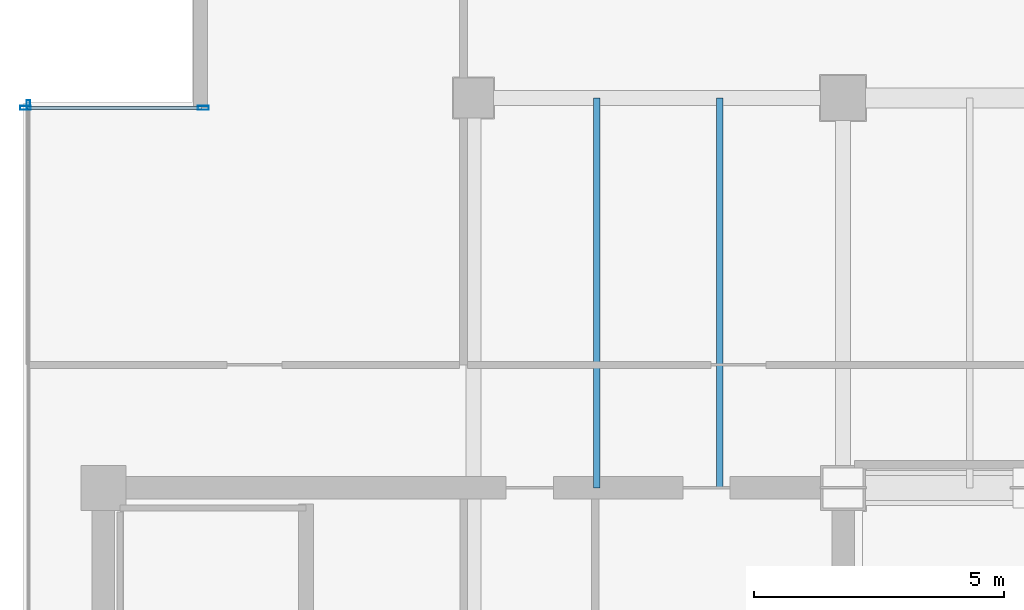
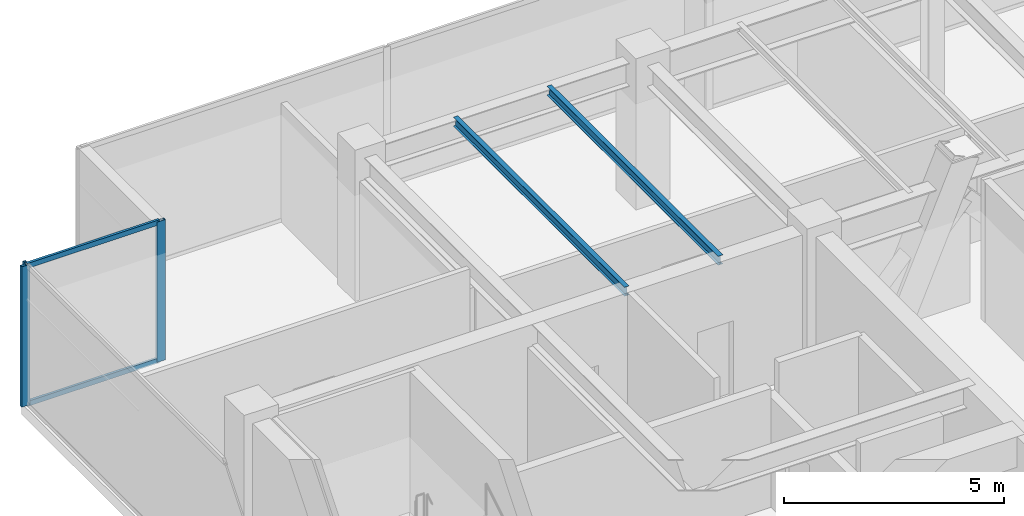
# One storey, part 18 of 32: 5 members, 2 beams, 2 elements without a shape of their own.
"""IFC4 building model written with IfcOpenShell, lengths in metres."""

import ifcopenshell
import ifcopenshell.guid

model = None  # the IFC model being written
_history = None  # IfcOwnerHistory: only IFC2X3 demands one
_inside = {}  # id of a spatial element -> (the spatial element, [elements in it])
_under = {}  # id of a project, library or spatial element -> (it, [spatial elements below it])
_declared = {}  # id of a project -> (the project, [libraries it declares])
_typed = {}  # id of a type object -> (the type object, [elements of that type])
_made_of = {}  # id of a material, layer set ... -> (it, [elements and type objects made of it])


def new_model(schema):
    """Start an empty IFC model of exactly this schema.

    Asked for "IFC4X3", IfcOpenShell would pick the latest addendum, in which some entities
    have other attributes; the version numbers below select the first issue.
    IFC2X3 requires an IfcOwnerHistory on every rooted entity: one is made here for all.
    """
    global model, _history
    if schema == "IFC4X3":
        model = ifcopenshell.file(schema_version=(4, 3, 0, 0))
    else:
        model = ifcopenshell.file(schema=schema)
    _inside.clear()
    _under.clear()
    _declared.clear()
    _typed.clear()
    _made_of.clear()
    _history = None
    if model.schema == "IFC2X3":
        org = make("IfcOrganization", Name="unknown")
        user = make(
            "IfcPersonAndOrganization",
            ThePerson=make("IfcPerson", FamilyName="unknown"),
            TheOrganization=org,
        )
        app = make(
            "IfcApplication",
            ApplicationDeveloper=org,
            Version="unknown",
            ApplicationFullName="unknown",
            ApplicationIdentifier="unknown",
        )
        _history = make(
            "IfcOwnerHistory",
            OwningUser=user,
            OwningApplication=app,
            ChangeAction="ADDED",
            CreationDate=0,
        )
    return model


def make(cls, **values):
    """One entity of the class cls with the attributes given. An attribute that is None is left unset."""
    return model.create_entity(
        cls, **{name: value for name, value in values.items() if value is not None}
    )


def rooted(cls, **values):
    """An entity with a GlobalId (a new one), such as an element, a storey or a relation."""
    return make(cls, GlobalId=ifcopenshell.guid.new(), OwnerHistory=_history, **values)


def si_unit(unit_type, name, prefix=None):
    """IfcSIUnit, for example si_unit("LENGTHUNIT", "METRE", prefix="MILLI")."""
    return make("IfcSIUnit", UnitType=unit_type, Prefix=prefix, Name=name)


def assignment(units):
    """IfcUnitAssignment: the units of a project."""
    return None if units is None else make("IfcUnitAssignment", Units=units)


def point(xyz):
    """IfcCartesianPoint."""
    return None if xyz is None else make("IfcCartesianPoint", Coordinates=xyz)


def direction(xyz):
    """IfcDirection."""
    return None if xyz is None else make("IfcDirection", DirectionRatios=xyz)


def frame(location, z_axis=None, x_axis=None):
    """IfcAxis2Placement3D, a coordinate frame: its origin and axes. An axis left out is left unset."""
    return make(
        "IfcAxis2Placement3D",
        Location=point(location),
        Axis=direction(z_axis),
        RefDirection=direction(x_axis),
    )


def frame_2d(location, x_axis=None):
    """IfcAxis2Placement2D, a coordinate frame in the plane: its origin and x axis."""
    return make(
        "IfcAxis2Placement2D", Location=point(location), RefDirection=direction(x_axis)
    )


def origin():
    """The frame at (0, 0, 0) with its axes left unset."""
    return frame((0.0, 0.0, 0.0))


def origin_2d():
    """The frame at (0, 0) in the plane with its x axis left unset."""
    return frame_2d((0.0, 0.0))


def place(relative_to, where):
    """IfcLocalPlacement: puts the frame where relative to a parent placement (None: the world)."""
    return make(
        "IfcLocalPlacement", PlacementRelTo=relative_to, RelativePlacement=where
    )


def context(
    kind, dimensions, precision=None, world=None, true_north=None, identifier=None
):
    """IfcGeometricRepresentationContext, for example the 3D "Model" context."""
    return make(
        "IfcGeometricRepresentationContext",
        ContextIdentifier=identifier,
        ContextType=kind,
        CoordinateSpaceDimension=dimensions,
        Precision=precision,
        WorldCoordinateSystem=world,
        TrueNorth=true_north,
    )


def subcontext(parent, identifier, kind, view, scale=None):
    """IfcGeometricRepresentationSubContext, for example "Body" below "Model"."""
    return make(
        "IfcGeometricRepresentationSubContext",
        ContextIdentifier=identifier,
        ContextType=kind,
        ParentContext=parent,
        TargetScale=scale,
        TargetView=view,
    )


def project(units=None, contexts=None):
    """IfcProject with its units and contexts."""
    return rooted(
        "IfcProject",
        Name="project",
        RepresentationContexts=contexts,
        UnitsInContext=assignment(units),
    )


def spatial(cls, under=None, at=None, **own):
    """A site, building, storey or space (cls), placed at a placement, below another one or the project."""
    s = rooted(cls, ObjectPlacement=at, **own)
    if under is not None:
        _under.setdefault(under.id(), (under, []))[1].append(s)
    return s


def profile(cls, at=None, kind="AREA", **sizes):
    """A parametric profile (cls). Its sizes go by their IFC names, for example OverallWidth=200.0."""
    return make(cls, ProfileType=kind, Position=at, **sizes)


def hollow_rectangle(**sizes):
    """IfcRectangleHollowProfileDef."""
    return profile("IfcRectangleHollowProfileDef", **sizes)


def i_section(**sizes):
    """IfcIShapeProfileDef."""
    return profile("IfcIShapeProfileDef", **sizes)


def extrude(swept, where, along, depth):
    """IfcExtrudedAreaSolid: the profile swept, set in the frame where, extruded along a direction by depth."""
    return make(
        "IfcExtrudedAreaSolid",
        SweptArea=swept,
        Position=where,
        ExtrudedDirection=direction(along),
        Depth=depth,
    )


def shape(context_of_items, identifier, shape_type, items):
    """IfcShapeRepresentation: the items that make up one representation, for example the "Body"."""
    return make(
        "IfcShapeRepresentation",
        ContextOfItems=context_of_items,
        RepresentationIdentifier=identifier,
        RepresentationType=shape_type,
        Items=items,
    )


def source(mapping_origin, context_of_items, identifier, shape_type, items):
    """IfcRepresentationMap: a shape defined once, which mapped items show again and again."""
    return make(
        "IfcRepresentationMap",
        MappingOrigin=mapping_origin,
        MappedRepresentation=shape(context_of_items, identifier, shape_type, items),
    )


def transform(
    local_origin,
    x_axis=None,
    y_axis=None,
    z_axis=None,
    scale=None,
    scale2=None,
    scale3=None,
    uniform=True,
):
    """IfcCartesianTransformationOperator3D, or its non-uniform kind. x_axis, y_axis, z_axis: its Axis1, 2, 3."""
    if uniform:
        return make(
            "IfcCartesianTransformationOperator3D",
            Axis1=direction(x_axis),
            Axis2=direction(y_axis),
            LocalOrigin=point(local_origin),
            Scale=scale,
            Axis3=direction(z_axis),
        )
    return make(
        "IfcCartesianTransformationOperator3DnonUniform",
        Axis1=direction(x_axis),
        Axis2=direction(y_axis),
        LocalOrigin=point(local_origin),
        Scale=scale,
        Axis3=direction(z_axis),
        Scale2=scale2,
        Scale3=scale3,
    )


def mapped(mapping_source, mapping_target):
    """IfcMappedItem: shows the shape of a source again, moved by a transform."""
    return make(
        "IfcMappedItem", MappingSource=mapping_source, MappingTarget=mapping_target
    )


def material(Name=None, Category=None):
    """IfcMaterial."""
    return make("IfcMaterial", Name=Name, Category=Category)


def layer(
    of_material, thickness, ventilated=None, Name=None, Category=None, Priority=None
):
    """IfcMaterialLayer: one layer of a wall or slab, of a material (None: an air gap)."""
    return make(
        "IfcMaterialLayer",
        Material=of_material,
        LayerThickness=thickness,
        IsVentilated=ventilated,
        Name=Name,
        Category=Category,
        Priority=Priority,
    )


def layer_set(layers, Name=None):
    """IfcMaterialLayerSet."""
    return make("IfcMaterialLayerSet", MaterialLayers=layers, LayerSetName=Name)


def material_profile(
    of_material, cross_section, Name=None, Category=None, Priority=None
):
    """IfcMaterialProfile: a cross section and its material."""
    return make(
        "IfcMaterialProfile",
        Name=Name,
        Material=of_material,
        Profile=cross_section,
        Priority=Priority,
        Category=Category,
    )


def profile_set(profiles, Name=None, composite=None):
    """IfcMaterialProfileSet."""
    return make(
        "IfcMaterialProfileSet",
        Name=Name,
        MaterialProfiles=profiles,
        CompositeProfile=composite,
    )


def made_of(thing, what):
    """Note that an element or type object is made of a material, layer set ...; save() writes the relation."""
    if what is not None:
        _made_of.setdefault(what.id(), (what, []))[1].append(thing)
    return thing


def type_object(cls, material=None, **own):
    """A type object (cls), such as IfcWallType, which elements share."""
    return made_of(rooted(cls, **own), material)


def type_shapes(of_type, sources):
    """Give a type object the sources (RepresentationMaps) that its elements show as mapped items."""
    of_type.RepresentationMaps = sources


def element(
    cls,
    number,
    at=None,
    inside=None,
    cuts=None,
    type_object=None,
    material=None,
    context=None,
    identifier="Body",
    shape_type=None,
    held_by="IfcProductDefinitionShape",
    body=None,
    shapes=None,
    **own,
):
    """One element of the class cls, such as IfcWall. Its Tag is "e" and its number.

    at: its placement. inside: the storey or other place that contains it. cuts: it is an
    opening in that element (IfcRelVoidsElement). A single representation is given by context,
    identifier, shape_type and body (its items); several are given by shapes. held_by: the class
    of the entity that holds the representations. save() writes the other relations.
    """
    e = rooted(cls, Tag="e%d" % number, ObjectPlacement=at, **own)
    if body is not None:
        shapes = [shape(context, identifier, shape_type, body)]
    if shapes is not None:
        e.Representation = make(held_by, Representations=shapes)
    if inside is not None:
        _inside.setdefault(inside.id(), (inside, []))[1].append(e)
    if cuts is not None:
        rooted(
            "IfcRelVoidsElement", RelatingBuildingElement=cuts, RelatedOpeningElement=e
        )
    if type_object is not None:
        _typed.setdefault(type_object.id(), (type_object, []))[1].append(e)
    return made_of(e, material)


def aggregate(whole, parts):
    """IfcRelAggregates: a whole, such as a stair, and the parts it consists of."""
    return rooted("IfcRelAggregates", RelatingObject=whole, RelatedObjects=parts)


def save(model, path):
    """Write the relations noted so far, then the file.

    IfcRelAggregates (storeys below a building ...), IfcRelContainedInSpatialStructure (elements
    in a storey), IfcRelDefinesByType, IfcRelAssociatesMaterial and IfcRelDeclares: one each for
    every whole, place, type object, material and project.
    """
    for whole, parts in _under.values():
        aggregate(whole, parts)
    for where, things in _inside.values():
        rooted(
            "IfcRelContainedInSpatialStructure",
            RelatedElements=things,
            RelatingStructure=where,
        )
    for kind, things in _typed.values():
        rooted("IfcRelDefinesByType", RelatedObjects=things, RelatingType=kind)
    for what, things in _made_of.values():
        rooted("IfcRelAssociatesMaterial", RelatedObjects=things, RelatingMaterial=what)
    for by, libraries in _declared.values():
        rooted("IfcRelDeclares", RelatingContext=by, RelatedDefinitions=libraries)
    model.write(path)


model = new_model("IFC4")

# Units and contexts
model_context = context("Model", 3, precision=1e-05, world=origin(), true_north=direction((0.0, 1.0)))
body_context = subcontext(model_context, "Body", "Model", "MODEL_VIEW")
ifc_project = project(units=[si_unit("LENGTHUNIT", "METRE"), si_unit("AREAUNIT", "SQUARE_METRE"), si_unit("VOLUMEUNIT", "CUBIC_METRE"), si_unit("PLANEANGLEUNIT", "RADIAN"), si_unit("MASSUNIT", "GRAM", prefix="KILO")], contexts=[model_context])

# Site, building, storey
site_placement = place(None, origin())
site = spatial("IfcSite", under=ifc_project, at=site_placement, CompositionType="ELEMENT")
building_placement = place(site_placement, origin())
building = spatial("IfcBuilding", under=site, at=building_placement, Name="Haelvirn Gate Laboratories", CompositionType="ELEMENT")
storey_placement = place(building_placement, frame((0.0, 0.0, 301.800048828125)))
storey = spatial("IfcBuildingStorey", under=building, at=storey_placement, Name="L72", CompositionType="ELEMENT", Elevation=301.800048828125)

# Beams
ifc_material_1 = material(Name="Steel SM355", Category="steel")
ifc_material_profile_1 = material_profile(ifc_material_1, i_section(OverallWidth=0.125, OverallDepth=0.25, WebThickness=0.006103515625, FlangeThickness=0.009033203125, at=origin_2d()), Name="H-250x125x6x9")
ifc_profile_set_1 = profile_set([ifc_material_profile_1], Name="Steel SM355")
beam_type = type_object("IfcBeamType", Name="BM-J-250", PredefinedType="JOIST", material=ifc_profile_set_1)
shared_shape_1 = source(origin(), body_context, "Body", "SweptSolid", [
    extrude(i_section(OverallWidth=0.125, OverallDepth=0.25, WebThickness=0.006103515625, FlangeThickness=0.009033203125, at=origin_2d()), origin(), (0.0, 0.0, 1.0), 7.800048828125),
])
type_shapes(beam_type, [shared_shape_1])
for number, where, z_axis, x_axis, name in (
    (1, (17.27001953125, 33.800048828125, 3.77490234375), (0.0, 1.0, 0.0), (-1.0, 0.0, 0.0), "L72 Composite Lab Joist North X17.27"),
    (2, (19.72998046875, 33.800048828125, 3.77490234375), (0.0, 1.0, 0.0), (-1.0, 0.0, 0.0), "L72 Composite Lab Joist North X19.73"),
):
    element("IfcBeam", number, at=place(storey_placement, frame(where, z_axis=z_axis, x_axis=x_axis)), inside=storey, type_object=beam_type, Name=name, PredefinedType="JOIST", context=body_context, shape_type="MappedRepresentation", body=[
        mapped(shared_shape_1, transform((0.0, 0.0, 0.0), scale=1.0)),
    ])

# Curtain wall, member
ifc_material_2 = material(Name="Anodised bronze unitised aluminium & triple low-E glass", Category="aluminium")
ifc_layer_1 = layer(ifc_material_2, 0.176025390625, Name="CW-SYS-4")
ifc_layer_set_1 = layer_set([ifc_layer_1], Name="Anodised bronze unitised aluminium & triple low-E glass")
curtain_wall_type_1 = type_object("IfcCurtainWallType", Name="CW-SYS-4", PredefinedType="NOTDEFINED", material=ifc_layer_set_1)
curtain_wall_1_placement = place(storey_placement, origin())
curtain_wall_1 = element("IfcCurtainWall", 3, at=curtain_wall_1_placement, inside=storey, type_object=curtain_wall_type_1, Name="L72 Unitised Curtain Wall CW-L72-P0-E17", PredefinedType="NOTDEFINED")
ifc_material_3 = material(Name="Extruded aluminium 6063-T6 (anodised bronze)", Category="aluminium")
ifc_material_profile_2 = material_profile(ifc_material_3, hollow_rectangle(XDim=0.070068359375, YDim=0.179931640625, WallThickness=0.0048828125, at=origin_2d()), Name="CWM-180x70x5")
ifc_profile_set_2 = profile_set([ifc_material_profile_2], Name="Extruded aluminium 6063-T6 (anodised bronze)")
member_type_1 = type_object("IfcMemberType", Name="CWM-T180", PredefinedType="MULLION", material=ifc_profile_set_2)
shared_shape_2 = source(origin(), body_context, "Body", "SweptSolid", [
    extrude(hollow_rectangle(XDim=0.070068359375, YDim=0.179931640625, WallThickness=0.0048828125, at=origin_2d()), origin(), (0.0, 0.0, 1.0), 3.89990234375),
])
type_shapes(member_type_1, [shared_shape_2])
member_1_placement = place(storey_placement, frame((5.89990234375, 41.465087890625, 0.0), z_axis=(0.0, 0.0, 1.0), x_axis=(1.0, 0.0, 0.0)))
member_1 = element("IfcMember", 4, at=member_1_placement, type_object=member_type_1, Name="CW4 mullion 1", PredefinedType="MULLION", context=body_context, shape_type="MappedRepresentation", body=[
    mapped(shared_shape_2, transform((0.0, 0.0, 0.0), scale=1.0)),
])
aggregate(curtain_wall_1, [member_1])

# Curtain wall, members
ifc_layer_2 = layer(ifc_material_2, 0.181884765625, Name="CW-SYS-5")
ifc_layer_set_2 = layer_set([ifc_layer_2], Name="Anodised bronze unitised aluminium & triple low-E glass")
curtain_wall_type_2 = type_object("IfcCurtainWallType", Name="CW-SYS-5", PredefinedType="NOTDEFINED", material=ifc_layer_set_2)
curtain_wall_2_placement = place(storey_placement, origin())
curtain_wall_2 = element("IfcCurtainWall", 5, at=curtain_wall_2_placement, inside=storey, type_object=curtain_wall_type_2, Name="L72 Unitised Curtain Wall CW-L72-P0-E16-1", PredefinedType="NOTDEFINED")
ifc_material_profile_3 = material_profile(ifc_material_3, hollow_rectangle(XDim=0.080078125, YDim=0.219970703125, WallThickness=0.006103515625, at=origin_2d()), Name="CWM-220x80x6")
ifc_profile_set_3 = profile_set([ifc_material_profile_3], Name="Extruded aluminium 6063-T6 (anodised bronze)")
member_type_2 = type_object("IfcMemberType", Name="CWM-T220", PredefinedType="MULLION", material=ifc_profile_set_3)
shared_shape_3 = source(origin(), body_context, "Body", "SweptSolid", [
    extrude(hollow_rectangle(XDim=0.080078125, YDim=0.219970703125, WallThickness=0.006103515625, at=origin_2d()), origin(), (0.0, 0.0, 1.0), 3.89990234375),
])
type_shapes(member_type_2, [shared_shape_3])
member_2_placement = place(storey_placement, frame((5.840087890625, 41.39990234375, 0.0), z_axis=(0.0, 0.0, 1.0), x_axis=(0.0, 1.0, 0.0)))
member_2 = element("IfcMember", 6, at=member_2_placement, type_object=member_type_2, Name="CW5 mullion 1", PredefinedType="MULLION", context=body_context, shape_type="MappedRepresentation", body=[
    mapped(shared_shape_3, transform((0.0, 0.0, 0.0), scale=1.0)),
])
member_3_placement = place(storey_placement, frame((9.39990234375, 41.39990234375, 0.0), z_axis=(0.0, 0.0, 1.0), x_axis=(0.0, 1.0, 0.0)))
member_3 = element("IfcMember", 7, at=member_3_placement, type_object=member_type_2, Name="CW5 mullion 2", PredefinedType="MULLION", context=body_context, shape_type="MappedRepresentation", body=[
    mapped(shared_shape_3, transform((0.0, 0.0, 0.0), scale=1.0)),
])
ifc_material_profile_4 = material_profile(ifc_material_3, hollow_rectangle(XDim=0.06494140625, YDim=0.139892578125, WallThickness=0.00390625, at=origin_2d()), Name="CWT-140x65x4")
ifc_profile_set_4 = profile_set([ifc_material_profile_4], Name="Extruded aluminium 6063-T6 (anodised bronze)")
member_type_3 = type_object("IfcMemberType", Name="CWT-T140", PredefinedType="USERDEFINED", material=ifc_profile_set_4)
shared_shape_4 = source(origin(), body_context, "Body", "SweptSolid", [
    extrude(hollow_rectangle(XDim=0.06494140625, YDim=0.139892578125, WallThickness=0.00390625, at=origin_2d()), origin(), (0.0, 0.0, 1.0), 3.480224609375),
])
type_shapes(member_type_3, [shared_shape_4])
member_4_placement = place(storey_placement, frame((5.8798828125, 41.39990234375, 0.032470703125), z_axis=(1.0, 0.0, 0.0), x_axis=(0.0, 1.0, 0.0)))
member_4 = element("IfcMember", 8, at=member_4_placement, type_object=member_type_3, Name="CW5 transom 1.1", ObjectType="TRANSOM", PredefinedType="USERDEFINED", context=body_context, shape_type="MappedRepresentation", body=[
    mapped(shared_shape_4, transform((0.0, 0.0, 0.0), scale=1.0)),
])
member_5_placement = place(storey_placement, frame((5.8798828125, 41.39990234375, 3.867431640625), z_axis=(1.0, 0.0, 0.0), x_axis=(0.0, 1.0, 0.0)))
member_5 = element("IfcMember", 9, at=member_5_placement, type_object=member_type_3, Name="CW5 transom 1.2", ObjectType="TRANSOM", PredefinedType="USERDEFINED", context=body_context, shape_type="MappedRepresentation", body=[
    mapped(shared_shape_4, transform((0.0, 0.0, 0.0), scale=1.0)),
])
aggregate(curtain_wall_2, [member_2, member_3, member_4, member_5])

save(model, "model.ifc")
